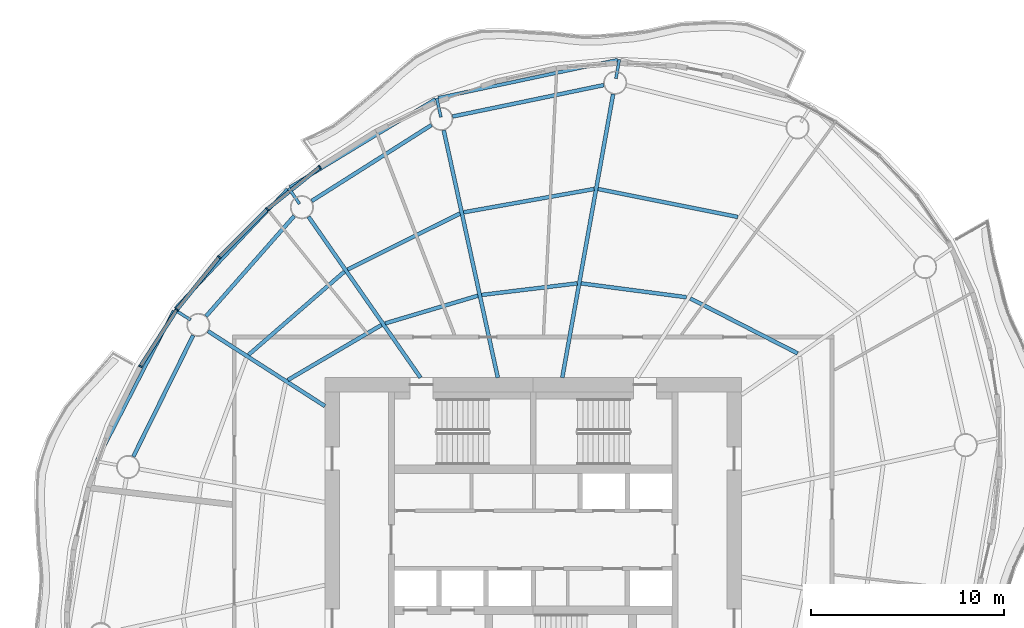
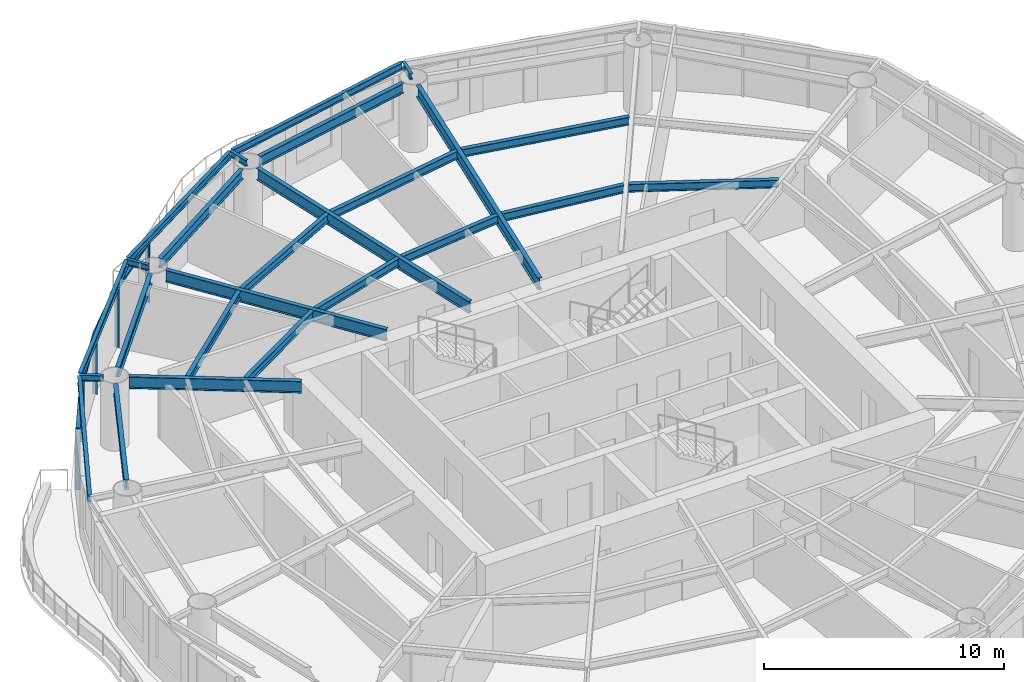
# One storey, part 5 of 14: 25 beams, 9 members, 4 elements without a shape of their own.
"""IFC4 building model written with IfcOpenShell, lengths in metres."""

import ifcopenshell
import ifcopenshell.guid

model = None  # the IFC model being written
_history = None  # IfcOwnerHistory: only IFC2X3 demands one
_inside = {}  # id of a spatial element -> (the spatial element, [elements in it])
_under = {}  # id of a project, library or spatial element -> (it, [spatial elements below it])
_declared = {}  # id of a project -> (the project, [libraries it declares])
_typed = {}  # id of a type object -> (the type object, [elements of that type])
_made_of = {}  # id of a material, layer set ... -> (it, [elements and type objects made of it])


def new_model(schema):
    """Start an empty IFC model of exactly this schema.

    Asked for "IFC4X3", IfcOpenShell would pick the latest addendum, in which some entities
    have other attributes; the version numbers below select the first issue.
    IFC2X3 requires an IfcOwnerHistory on every rooted entity: one is made here for all.
    """
    global model, _history
    if schema == "IFC4X3":
        model = ifcopenshell.file(schema_version=(4, 3, 0, 0))
    else:
        model = ifcopenshell.file(schema=schema)
    _inside.clear()
    _under.clear()
    _declared.clear()
    _typed.clear()
    _made_of.clear()
    _history = None
    if model.schema == "IFC2X3":
        org = make("IfcOrganization", Name="unknown")
        user = make(
            "IfcPersonAndOrganization",
            ThePerson=make("IfcPerson", FamilyName="unknown"),
            TheOrganization=org,
        )
        app = make(
            "IfcApplication",
            ApplicationDeveloper=org,
            Version="unknown",
            ApplicationFullName="unknown",
            ApplicationIdentifier="unknown",
        )
        _history = make(
            "IfcOwnerHistory",
            OwningUser=user,
            OwningApplication=app,
            ChangeAction="ADDED",
            CreationDate=0,
        )
    return model


def make(cls, **values):
    """One entity of the class cls with the attributes given. An attribute that is None is left unset."""
    return model.create_entity(
        cls, **{name: value for name, value in values.items() if value is not None}
    )


def rooted(cls, **values):
    """An entity with a GlobalId (a new one), such as an element, a storey or a relation."""
    return make(cls, GlobalId=ifcopenshell.guid.new(), OwnerHistory=_history, **values)


def si_unit(unit_type, name, prefix=None):
    """IfcSIUnit, for example si_unit("LENGTHUNIT", "METRE", prefix="MILLI")."""
    return make("IfcSIUnit", UnitType=unit_type, Prefix=prefix, Name=name)


def assignment(units):
    """IfcUnitAssignment: the units of a project."""
    return None if units is None else make("IfcUnitAssignment", Units=units)


def point(xyz):
    """IfcCartesianPoint."""
    return None if xyz is None else make("IfcCartesianPoint", Coordinates=xyz)


def direction(xyz):
    """IfcDirection."""
    return None if xyz is None else make("IfcDirection", DirectionRatios=xyz)


def frame(location, z_axis=None, x_axis=None):
    """IfcAxis2Placement3D, a coordinate frame: its origin and axes. An axis left out is left unset."""
    return make(
        "IfcAxis2Placement3D",
        Location=point(location),
        Axis=direction(z_axis),
        RefDirection=direction(x_axis),
    )


def frame_2d(location, x_axis=None):
    """IfcAxis2Placement2D, a coordinate frame in the plane: its origin and x axis."""
    return make(
        "IfcAxis2Placement2D", Location=point(location), RefDirection=direction(x_axis)
    )


def origin():
    """The frame at (0, 0, 0) with its axes left unset."""
    return frame((0.0, 0.0, 0.0))


def origin_2d():
    """The frame at (0, 0) in the plane with its x axis left unset."""
    return frame_2d((0.0, 0.0))


def place(relative_to, where):
    """IfcLocalPlacement: puts the frame where relative to a parent placement (None: the world)."""
    return make(
        "IfcLocalPlacement", PlacementRelTo=relative_to, RelativePlacement=where
    )


def context(
    kind, dimensions, precision=None, world=None, true_north=None, identifier=None
):
    """IfcGeometricRepresentationContext, for example the 3D "Model" context."""
    return make(
        "IfcGeometricRepresentationContext",
        ContextIdentifier=identifier,
        ContextType=kind,
        CoordinateSpaceDimension=dimensions,
        Precision=precision,
        WorldCoordinateSystem=world,
        TrueNorth=true_north,
    )


def subcontext(parent, identifier, kind, view, scale=None):
    """IfcGeometricRepresentationSubContext, for example "Body" below "Model"."""
    return make(
        "IfcGeometricRepresentationSubContext",
        ContextIdentifier=identifier,
        ContextType=kind,
        ParentContext=parent,
        TargetScale=scale,
        TargetView=view,
    )


def project(units=None, contexts=None):
    """IfcProject with its units and contexts."""
    return rooted(
        "IfcProject",
        Name="project",
        RepresentationContexts=contexts,
        UnitsInContext=assignment(units),
    )


def spatial(cls, under=None, at=None, **own):
    """A site, building, storey or space (cls), placed at a placement, below another one or the project."""
    s = rooted(cls, ObjectPlacement=at, **own)
    if under is not None:
        _under.setdefault(under.id(), (under, []))[1].append(s)
    return s


def profile(cls, at=None, kind="AREA", **sizes):
    """A parametric profile (cls). Its sizes go by their IFC names, for example OverallWidth=200.0."""
    return make(cls, ProfileType=kind, Position=at, **sizes)


def rectangle(**sizes):
    """IfcRectangleProfileDef."""
    return profile("IfcRectangleProfileDef", **sizes)


def i_section(**sizes):
    """IfcIShapeProfileDef."""
    return profile("IfcIShapeProfileDef", **sizes)


def extrude(swept, where, along, depth):
    """IfcExtrudedAreaSolid: the profile swept, set in the frame where, extruded along a direction by depth."""
    return make(
        "IfcExtrudedAreaSolid",
        SweptArea=swept,
        Position=where,
        ExtrudedDirection=direction(along),
        Depth=depth,
    )


def shape(context_of_items, identifier, shape_type, items):
    """IfcShapeRepresentation: the items that make up one representation, for example the "Body"."""
    return make(
        "IfcShapeRepresentation",
        ContextOfItems=context_of_items,
        RepresentationIdentifier=identifier,
        RepresentationType=shape_type,
        Items=items,
    )


def material(Name=None, Category=None):
    """IfcMaterial."""
    return make("IfcMaterial", Name=Name, Category=Category)


def material_profile(
    of_material, cross_section, Name=None, Category=None, Priority=None
):
    """IfcMaterialProfile: a cross section and its material."""
    return make(
        "IfcMaterialProfile",
        Name=Name,
        Material=of_material,
        Profile=cross_section,
        Priority=Priority,
        Category=Category,
    )


def profile_set(profiles, Name=None, composite=None):
    """IfcMaterialProfileSet."""
    return make(
        "IfcMaterialProfileSet",
        Name=Name,
        MaterialProfiles=profiles,
        CompositeProfile=composite,
    )


def made_of(thing, what):
    """Note that an element or type object is made of a material, layer set ...; save() writes the relation."""
    if what is not None:
        _made_of.setdefault(what.id(), (what, []))[1].append(thing)
    return thing


def type_object(cls, material=None, **own):
    """A type object (cls), such as IfcWallType, which elements share."""
    return made_of(rooted(cls, **own), material)


def element(
    cls,
    number,
    at=None,
    inside=None,
    cuts=None,
    type_object=None,
    material=None,
    context=None,
    identifier="Body",
    shape_type=None,
    held_by="IfcProductDefinitionShape",
    body=None,
    shapes=None,
    **own,
):
    """One element of the class cls, such as IfcWall. Its Tag is "e" and its number.

    at: its placement. inside: the storey or other place that contains it. cuts: it is an
    opening in that element (IfcRelVoidsElement). A single representation is given by context,
    identifier, shape_type and body (its items); several are given by shapes. held_by: the class
    of the entity that holds the representations. save() writes the other relations.
    """
    e = rooted(cls, Tag="e%d" % number, ObjectPlacement=at, **own)
    if body is not None:
        shapes = [shape(context, identifier, shape_type, body)]
    if shapes is not None:
        e.Representation = make(held_by, Representations=shapes)
    if inside is not None:
        _inside.setdefault(inside.id(), (inside, []))[1].append(e)
    if cuts is not None:
        rooted(
            "IfcRelVoidsElement", RelatingBuildingElement=cuts, RelatedOpeningElement=e
        )
    if type_object is not None:
        _typed.setdefault(type_object.id(), (type_object, []))[1].append(e)
    return made_of(e, material)


def aggregate(whole, parts):
    """IfcRelAggregates: a whole, such as a stair, and the parts it consists of."""
    return rooted("IfcRelAggregates", RelatingObject=whole, RelatedObjects=parts)


def save(model, path):
    """Write the relations noted so far, then the file.

    IfcRelAggregates (storeys below a building ...), IfcRelContainedInSpatialStructure (elements
    in a storey), IfcRelDefinesByType, IfcRelAssociatesMaterial and IfcRelDeclares: one each for
    every whole, place, type object, material and project.
    """
    for whole, parts in _under.values():
        aggregate(whole, parts)
    for where, things in _inside.values():
        rooted(
            "IfcRelContainedInSpatialStructure",
            RelatedElements=things,
            RelatingStructure=where,
        )
    for kind, things in _typed.values():
        rooted("IfcRelDefinesByType", RelatedObjects=things, RelatingType=kind)
    for what, things in _made_of.values():
        rooted("IfcRelAssociatesMaterial", RelatedObjects=things, RelatingMaterial=what)
    for by, libraries in _declared.values():
        rooted("IfcRelDeclares", RelatingContext=by, RelatedDefinitions=libraries)
    model.write(path)


model = new_model("IFC4")

# Units and contexts
model_context = context("Model", 3, precision=1e-05, world=origin(), true_north=direction((0.0, 1.0)))
body_context = subcontext(model_context, "Body", "Model", "MODEL_VIEW")
ifc_project = project(units=[si_unit("LENGTHUNIT", "METRE"), si_unit("AREAUNIT", "SQUARE_METRE"), si_unit("VOLUMEUNIT", "CUBIC_METRE"), si_unit("PLANEANGLEUNIT", "RADIAN"), si_unit("MASSUNIT", "GRAM", prefix="KILO")], contexts=[model_context])

# Site, building, storey
site_placement = place(None, origin())
site = spatial("IfcSite", under=ifc_project, at=site_placement, CompositionType="ELEMENT")
building_placement = place(site_placement, origin())
building = spatial("IfcBuilding", under=site, at=building_placement, Name="Vermilion Reach Broadcast Tower", CompositionType="ELEMENT")
storey_placement = place(building_placement, frame((0.0, 0.0, 224.5)))
storey = spatial("IfcBuildingStorey", under=building, at=storey_placement, Name="L55", CompositionType="ELEMENT", Elevation=224.5)

# Beams
ifc_material_1 = material(Name="Steel S355J2", Category="steel")
ifc_material_profile_1 = material_profile(ifc_material_1, i_section(OverallWidth=0.175048828125, OverallDepth=0.35009765625, WebThickness=0.007080078125, FlangeThickness=0.010986328125, at=origin_2d()), Name="S355J2 HN 350x175x7x11")
ifc_profile_set_1 = profile_set([ifc_material_profile_1], Name="Steel S355J2")
beam_type_1 = type_object("IfcBeamType", Name="EB4 HN 350x175x7x11", PredefinedType="BEAM", material=ifc_profile_set_1)
beam_1_placement = place(storey_placement, frame((-1.613525390625, 24.877197265625, 3.27490234375), z_axis=(-0.97821172631, -0.207609774601, 0.0), x_axis=(0.207609774601, -0.97821172631, 0.0)))
element("IfcBeam", 1, at=beam_1_placement, inside=storey, type_object=beam_type_1, Name="Edge beam EB4-02", PredefinedType="BEAM", context=body_context, shape_type="SweptSolid", body=[
    extrude(i_section(OverallWidth=0.175048828125, OverallDepth=0.35009765625, WebThickness=0.007080078125, FlangeThickness=0.010986328125, at=origin_2d()), origin(), (0.0, 0.0, 1.0), 9.52294921875),
])
beam_2_placement = place(storey_placement, frame((-11.070068359375, 22.843505859375, 3.27490234375), z_axis=(-0.855212690142, -0.518277198631, 0.0), x_axis=(0.518277198631, -0.855212690142, 0.0)))
element("IfcBeam", 2, at=beam_2_placement, inside=storey, type_object=beam_type_1, Name="Edge beam EB4-03", PredefinedType="BEAM", context=body_context, shape_type="SweptSolid", body=[
    extrude(i_section(OverallWidth=0.175048828125, OverallDepth=0.35009765625, WebThickness=0.007080078125, FlangeThickness=0.010986328125, at=origin_2d()), origin(), (0.0, 0.0, 1.0), 8.82763671875),
])
beam_3_placement = place(storey_placement, frame((-18.736328125, 18.17333984375, 3.27490234375), z_axis=(-0.684636119889, -0.72888502752, 0.0), x_axis=(0.72888502752, -0.684636119889, 0.0)))
element("IfcBeam", 3, at=beam_3_placement, inside=storey, type_object=beam_type_1, Name="Edge beam EB4-04", PredefinedType="BEAM", context=body_context, shape_type="SweptSolid", body=[
    extrude(i_section(OverallWidth=0.175048828125, OverallDepth=0.35009765625, WebThickness=0.007080078125, FlangeThickness=0.010986328125, at=origin_2d()), origin(), (0.0, 0.0, 1.0), 8.491455078125),
])
beam_4_placement = place(storey_placement, frame((-24.636474609375, 11.861572265625, 3.27490234375), z_axis=(-0.45736451485, -0.889279315264, 0.0), x_axis=(0.889279315264, -0.45736451485, 0.0)))
element("IfcBeam", 4, at=beam_4_placement, inside=storey, type_object=beam_type_1, Name="Edge beam EB4-05", PredefinedType="BEAM", context=body_context, shape_type="SweptSolid", body=[
    extrude(i_section(OverallWidth=0.175048828125, OverallDepth=0.35009765625, WebThickness=0.007080078125, FlangeThickness=0.010986328125, at=origin_2d()), origin(), (0.0, 0.0, 1.0), 8.69140625),
])
ifc_material_2 = material(Name="Steel S355J2", Category="steel")
ifc_material_profile_2 = material_profile(ifc_material_2, i_section(OverallWidth=0.199951171875, OverallDepth=0.60009765625, WebThickness=0.010986328125, FlangeThickness=0.01708984375, at=origin_2d()), Name="S355J2 HN 600x200x11x17")
ifc_profile_set_2 = profile_set([ifc_material_profile_2], Name="Steel S355J2")
beam_type_2 = type_object("IfcBeamType", Name="G4 HN 600x200x11x17", PredefinedType="BEAM", material=ifc_profile_set_2)
beam_5_placement = place(storey_placement, frame((-4.4931640625, 8.39990234375, 3.14990234375), z_axis=(0.176574729047, 0.984287237072, 0.0), x_axis=(-0.984287237072, 0.176574729047, 0.0)))
element("IfcBeam", 5, at=beam_5_placement, inside=storey, type_object=beam_type_2, Name="Girder G4-02", PredefinedType="BEAM", context=body_context, shape_type="SweptSolid", body=[
    extrude(i_section(OverallWidth=0.199951171875, OverallDepth=0.60009765625, WebThickness=0.010986328125, FlangeThickness=0.01708984375, at=origin_2d()), origin(), (0.0, 0.0, 1.0), 14.935302734375),
])
beam_6_placement = place(storey_placement, frame((-7.836181640625, 8.39990234375, 3.14990234375), z_axis=(-0.213538346548, 0.976934682849, 0.0), x_axis=(-0.976934682849, -0.213538346548, 0.0)))
element("IfcBeam", 6, at=beam_6_placement, inside=storey, type_object=beam_type_2, Name="Girder G4-03", PredefinedType="BEAM", context=body_context, shape_type="SweptSolid", body=[
    extrude(i_section(OverallWidth=0.199951171875, OverallDepth=0.60009765625, WebThickness=0.010986328125, FlangeThickness=0.01708984375, at=origin_2d()), origin(), (0.0, 0.0, 1.0), 13.135498046875),
])
beam_7_placement = place(storey_placement, frame((-11.8447265625, 8.39990234375, 3.14990234375), z_axis=(-0.571134149017, 0.8208567377, 0.0), x_axis=(-0.8208567377, -0.571134149017, 0.0)))
element("IfcBeam", 7, at=beam_7_placement, inside=storey, type_object=beam_type_2, Name="Girder G4-04", PredefinedType="BEAM", context=body_context, shape_type="SweptSolid", body=[
    extrude(i_section(OverallWidth=0.199951171875, OverallDepth=0.60009765625, WebThickness=0.010986328125, FlangeThickness=0.01708984375, at=origin_2d()), origin(), (0.0, 0.0, 1.0), 10.16552734375),
])
beam_8_placement = place(storey_placement, frame((-16.800048828125, 6.925537109375, 3.14990234375), z_axis=(-0.841798504642, 0.539791883584, 0.0), x_axis=(-0.539791883584, -0.841798504642, 0.0)))
element("IfcBeam", 8, at=beam_8_placement, inside=storey, type_object=beam_type_2, Name="Girder G4-05", PredefinedType="BEAM", context=body_context, shape_type="SweptSolid", body=[
    extrude(i_section(OverallWidth=0.199951171875, OverallDepth=0.60009765625, WebThickness=0.010986328125, FlangeThickness=0.01708984375, at=origin_2d()), origin(), (0.0, 0.0, 1.0), 7.1962890625),
])
ifc_material_3 = material(Name="Steel S355J2", Category="steel")
ifc_material_profile_3 = material_profile(ifc_material_3, i_section(OverallWidth=0.14990234375, OverallDepth=0.300048828125, WebThickness=0.006591796875, FlangeThickness=0.009033203125, at=origin_2d()), Name="S355J2 HN 300x150x6.5x9")
ifc_profile_set_3 = profile_set([ifc_material_profile_3], Name="Steel S355J2")
beam_type_3 = type_object("IfcBeamType", Name="GS4 HN 300x150x6.5x9", PredefinedType="BEAM", material=ifc_profile_set_3)
beam_9_placement = place(storey_placement, frame((-1.7109375, 23.90966796875, 3.300048828125), z_axis=(0.176500327456, 0.984300581331, 0.0), x_axis=(-0.984300581331, 0.176500327456, 0.0)))
element("IfcBeam", 9, at=beam_9_placement, inside=storey, type_object=beam_type_3, Name="Cantilever stub GS4-02", PredefinedType="BEAM", context=body_context, shape_type="SweptSolid", body=[
    extrude(i_section(OverallWidth=0.14990234375, OverallDepth=0.300048828125, WebThickness=0.006591796875, FlangeThickness=0.009033203125, at=origin_2d()), origin(), (0.0, 0.0, 1.0), 1.0),
])
beam_10_placement = place(storey_placement, frame((-10.78857421875, 21.90771484375, 3.300048828125), z_axis=(-0.213594957215, 0.976922307173, 0.0), x_axis=(-0.976922307173, -0.213594957215, 0.0)))
element("IfcBeam", 10, at=beam_10_placement, inside=storey, type_object=beam_type_3, Name="Cantilever stub GS4-03", PredefinedType="BEAM", context=body_context, shape_type="SweptSolid", body=[
    extrude(i_section(OverallWidth=0.14990234375, OverallDepth=0.300048828125, WebThickness=0.006591796875, FlangeThickness=0.009033203125, at=origin_2d()), origin(), (0.0, 0.0, 1.0), 1.000244140625),
])
for number, where, z_axis, x_axis, name in (
    (11, (-18.11279296875, 17.408447265625, 3.300048828125), (-0.571100256946, 0.820880318022, 0.0), (-0.820880318022, -0.571100256946, 0.0), "Cantilever stub GS4-04"),
    (12, (-23.76025390625, 11.388671875, 3.300048828125), (-0.841796649213, 0.539794777091, 0.0), (-0.539794777091, -0.841796649213, 0.0), "Cantilever stub GS4-05"),
):
    element("IfcBeam", number, at=place(storey_placement, frame(where, z_axis=z_axis, x_axis=x_axis)), inside=storey, type_object=beam_type_3, Name=name, PredefinedType="BEAM", context=body_context, shape_type="SweptSolid", body=[
        extrude(i_section(OverallWidth=0.14990234375, OverallDepth=0.300048828125, WebThickness=0.006591796875, FlangeThickness=0.009033203125, at=origin_2d()), origin(), (0.0, 0.0, 1.0), 1.0),
    ])
ifc_material_4 = material(Name="Steel S355J2", Category="steel")
ifc_material_profile_4 = material_profile(ifc_material_4, i_section(OverallWidth=0.199951171875, OverallDepth=0.5, WebThickness=0.010009765625, FlangeThickness=0.01611328125, at=origin_2d()), Name="S355J2 HN 500x200x10x16")
ifc_profile_set_4 = profile_set([ifc_material_profile_4], Name="Steel S355J2")
beam_type_4 = type_object("IfcBeamType", Name="RB4 HN 500x200x10x16", PredefinedType="BEAM", material=ifc_profile_set_4)
beam_11_placement = place(storey_placement, frame((-2.337646484375, 23.569091796875, 3.199951171875), z_axis=(-0.97912342484, -0.203266620302, 0.0), x_axis=(0.203266620302, -0.97912342484, 0.0)))
element("IfcBeam", 13, at=beam_11_placement, inside=storey, type_object=beam_type_4, Name="Ring beam RB4-02", PredefinedType="BEAM", context=body_context, shape_type="SweptSolid", body=[
    extrude(i_section(OverallWidth=0.199951171875, OverallDepth=0.5, WebThickness=0.010009765625, FlangeThickness=0.01611328125, at=origin_2d()), origin(), (0.0, 0.0, 1.0), 8.01123046875),
])
beam_12_placement = place(storey_placement, frame((-11.27587890625, 21.497314453125, 3.199951171875), z_axis=(-0.84446426774, -0.535611893549, 0.0), x_axis=(0.535611893549, -0.84446426774, 0.0)))
element("IfcBeam", 14, at=beam_12_placement, inside=storey, type_object=beam_type_4, Name="Ring beam RB4-03", PredefinedType="BEAM", context=body_context, shape_type="SweptSolid", body=[
    extrude(i_section(OverallWidth=0.199951171875, OverallDepth=0.5, WebThickness=0.010009765625, FlangeThickness=0.01611328125, at=origin_2d()), origin(), (0.0, 0.0, 1.0), 7.3544921875),
])
beam_13_placement = place(storey_placement, frame((-18.3896484375, 16.786376953125, 3.199951171875), z_axis=(-0.660565141761, -0.750768735024, 0.0), x_axis=(0.750768735024, -0.660565141761, 0.0)))
element("IfcBeam", 15, at=beam_13_placement, inside=storey, type_object=beam_type_4, Name="Ring beam RB4-04", PredefinedType="BEAM", context=body_context, shape_type="SweptSolid", body=[
    extrude(i_section(OverallWidth=0.199951171875, OverallDepth=0.5, WebThickness=0.010009765625, FlangeThickness=0.01611328125, at=origin_2d()), origin(), (0.0, 0.0, 1.0), 6.9287109375),
])
beam_14_placement = place(storey_placement, frame((-23.628662109375, 10.595947265625, 3.199951171875), z_axis=(-0.442977497199, -0.896532730566, 0.0), x_axis=(0.896532730566, -0.442977497199, 0.0)))
element("IfcBeam", 16, at=beam_14_placement, inside=storey, type_object=beam_type_4, Name="Ring beam RB4-05", PredefinedType="BEAM", context=body_context, shape_type="SweptSolid", body=[
    extrude(i_section(OverallWidth=0.199951171875, OverallDepth=0.5, WebThickness=0.010009765625, FlangeThickness=0.01611328125, at=origin_2d()), origin(), (0.0, 0.0, 1.0), 7.0166015625),
])
ifc_material_5 = material(Name="Steel S355J2", Category="steel")
ifc_material_profile_5 = material_profile(ifc_material_5, i_section(OverallWidth=0.199951171875, OverallDepth=0.39990234375, WebThickness=0.008056640625, FlangeThickness=0.012939453125, at=origin_2d()), Name="S355J2 HN 400x200x8x13")
ifc_profile_set_5 = profile_set([ifc_material_profile_5], Name="Steel S355J2")
beam_type_5 = type_object("IfcBeamType", Name="SB4 HN 400x200x8x13", PredefinedType="BEAM", material=ifc_profile_set_5)
beam_15_placement = place(storey_placement, frame((1.94140625, 12.5693359375, 3.25), z_axis=(-0.991458070019, 0.130425823341, 0.0), x_axis=(-0.130425823341, -0.991458070019, 0.0)))
element("IfcBeam", 17, at=beam_15_placement, inside=storey, type_object=beam_type_5, Name="Secondary beam SB4-01-1", PredefinedType="BEAM", context=body_context, shape_type="SweptSolid", body=[
    extrude(i_section(OverallWidth=0.199951171875, OverallDepth=0.39990234375, WebThickness=0.008056640625, FlangeThickness=0.012939453125, at=origin_2d()), origin(), (0.0, 0.0, 1.0), 5.50341796875),
])
beam_16_placement = place(storey_placement, frame((4.60986328125, 16.73095703125, 3.25), z_axis=(-0.9805717807, 0.196160604851, 0.0), x_axis=(-0.196160604851, -0.9805717807, 0.0)))
element("IfcBeam", 18, at=beam_16_placement, inside=storey, type_object=beam_type_5, Name="Secondary beam SB4-01-2", PredefinedType="BEAM", context=body_context, shape_type="SweptSolid", body=[
    extrude(i_section(OverallWidth=0.199951171875, OverallDepth=0.39990234375, WebThickness=0.008056640625, FlangeThickness=0.012939453125, at=origin_2d()), origin(), (0.0, 0.0, 1.0), 7.390380859375),
])
beam_17_placement = place(storey_placement, frame((-3.718017578125, 13.28759765625, 3.25), z_axis=(-0.99278788328, -0.119884189168, 0.0), x_axis=(0.119884189168, -0.99278788328, 0.0)))
element("IfcBeam", 19, at=beam_17_placement, inside=storey, type_object=beam_type_5, Name="Secondary beam SB4-02-1", PredefinedType="BEAM", context=body_context, shape_type="SweptSolid", body=[
    extrude(i_section(OverallWidth=0.199951171875, OverallDepth=0.39990234375, WebThickness=0.008056640625, FlangeThickness=0.012939453125, at=origin_2d()), origin(), (0.0, 0.0, 1.0), 4.9892578125),
])
beam_18_placement = place(storey_placement, frame((-2.840087890625, 18.181640625, 3.25), z_axis=(-0.984415281892, -0.175859468829, 0.0), x_axis=(0.175859468829, -0.984415281892, 0.0)))
element("IfcBeam", 20, at=beam_18_placement, inside=storey, type_object=beam_type_5, Name="Secondary beam SB4-02-2", PredefinedType="BEAM", context=body_context, shape_type="SweptSolid", body=[
    extrude(i_section(OverallWidth=0.199951171875, OverallDepth=0.39990234375, WebThickness=0.008056640625, FlangeThickness=0.012939453125, at=origin_2d()), origin(), (0.0, 0.0, 1.0), 6.874755859375),
])
beam_19_placement = place(storey_placement, frame((-8.8671875, 12.64892578125, 3.25), z_axis=(-0.958173460215, -0.28618808525, 0.0), x_axis=(0.28618808525, -0.958173460215, 0.0)))
element("IfcBeam", 21, at=beam_19_placement, inside=storey, type_object=beam_type_5, Name="Secondary beam SB4-03-1", PredefinedType="BEAM", context=body_context, shape_type="SweptSolid", body=[
    extrude(i_section(OverallWidth=0.199951171875, OverallDepth=0.39990234375, WebThickness=0.008056640625, FlangeThickness=0.012939453125, at=origin_2d()), origin(), (0.0, 0.0, 1.0), 5.02197265625),
])
beam_20_placement = place(storey_placement, frame((-9.79833984375, 16.908935546875, 3.25), z_axis=(-0.895183615542, -0.445697536974, 0.0), x_axis=(0.445697536974, -0.895183615542, 0.0)))
element("IfcBeam", 22, at=beam_20_placement, inside=storey, type_object=beam_type_5, Name="Secondary beam SB4-03-2", PredefinedType="BEAM", context=body_context, shape_type="SweptSolid", body=[
    extrude(i_section(OverallWidth=0.199951171875, OverallDepth=0.39990234375, WebThickness=0.008056640625, FlangeThickness=0.012939453125, at=origin_2d()), origin(), (0.0, 0.0, 1.0), 6.508544921875),
])
beam_21_placement = place(storey_placement, frame((-13.866455078125, 11.130615234375, 3.25), z_axis=(-0.862172572268, -0.506614701356, 0.0), x_axis=(0.506614701356, -0.862172572268, 0.0)))
element("IfcBeam", 23, at=beam_21_placement, inside=storey, type_object=beam_type_5, Name="Secondary beam SB4-04-1", PredefinedType="BEAM", context=body_context, shape_type="SweptSolid", body=[
    extrude(i_section(OverallWidth=0.199951171875, OverallDepth=0.39990234375, WebThickness=0.008056640625, FlangeThickness=0.012939453125, at=origin_2d()), origin(), (0.0, 0.0, 1.0), 5.632568359375),
])
beam_22_placement = place(storey_placement, frame((-15.791259765625, 13.89697265625, 3.25), z_axis=(-0.755129308567, -0.655575874589, 0.0), x_axis=(0.655575874589, -0.755129308567, 0.0)))
element("IfcBeam", 24, at=beam_22_placement, inside=storey, type_object=beam_type_5, Name="Secondary beam SB4-04-2", PredefinedType="BEAM", context=body_context, shape_type="SweptSolid", body=[
    extrude(i_section(OverallWidth=0.199951171875, OverallDepth=0.39990234375, WebThickness=0.008056640625, FlangeThickness=0.012939453125, at=origin_2d()), origin(), (0.0, 0.0, 1.0), 6.57958984375),
])
beam_23_placement = place(storey_placement, frame((7.707763671875, 9.659423828125, 3.25), z_axis=(-0.89015575218, 0.455656380249, 0.0), x_axis=(-0.455656380249, -0.89015575218, 0.0)))
element("IfcBeam", 25, at=beam_23_placement, inside=storey, type_object=beam_type_5, Name="Secondary beam SB4-16-1", PredefinedType="BEAM", context=body_context, shape_type="SweptSolid", body=[
    extrude(i_section(OverallWidth=0.199951171875, OverallDepth=0.39990234375, WebThickness=0.008056640625, FlangeThickness=0.012939453125, at=origin_2d()), origin(), (0.0, 0.0, 1.0), 6.25439453125),
])

# Curtain wall, member
ifc_material_6 = material(Name="Low-e laminated clear glass in aluminium frame", Category="aluminium")
curtain_wall_type = type_object("IfcCurtainWallType", Name="Slot curtain wall", PredefinedType="NOTDEFINED", material=ifc_material_6)
placement = place(storey_placement, origin())
curtain_wall_1 = element("IfcCurtainWall", 26, at=placement, inside=storey, type_object=curtain_wall_type, Name="Slot curtain wall L55 10", PredefinedType="NOTDEFINED")
ifc_material_7 = material(Name="Anodised aluminium", Category="aluminium")
ifc_material_profile_6 = material_profile(ifc_material_7, rectangle(XDim=0.199951171875, YDim=0.080078125, at=origin_2d()), Name="Slot mullion 80 x 200")
ifc_profile_set_6 = profile_set([ifc_material_profile_6], Name="Anodised aluminium")
member_type_1 = type_object("IfcMemberType", Name="Slot mullion 80 x 200", PredefinedType="MULLION", material=ifc_profile_set_6)
member_1_placement = place(storey_placement, frame((-17.068603515625, 19.314453125, 0.0), z_axis=(0.0, 0.0, 1.0), x_axis=(0.582108977861, -0.813110778365, 0.0)))
member_1 = element("IfcMember", 27, at=member_1_placement, type_object=member_type_1, Name="Slot mullion L55 10", PredefinedType="MULLION", context=body_context, shape_type="SweptSolid", body=[
    extrude(rectangle(XDim=0.199951171875, YDim=0.080078125, at=origin_2d()), origin(), (0.0, 0.0, 1.0), 3.10009765625),
])

curtain_wall_2 = element("IfcCurtainWall", 28, at=placement, inside=storey, type_object=curtain_wall_type, Name="Slot curtain wall L55 11", PredefinedType="NOTDEFINED")
member_2_placement = place(storey_placement, frame((-19.789794921875, 17.131103515625, 0.0), z_axis=(0.0, 0.0, 1.0), x_axis=(0.666975615424, -0.745079545035, 0.0)))
member_2 = element("IfcMember", 29, at=member_2_placement, type_object=member_type_1, Name="Slot mullion L55 11", PredefinedType="MULLION", context=body_context, shape_type="SweptSolid", body=[
    extrude(rectangle(XDim=0.199951171875, YDim=0.080078125, at=origin_2d()), origin(), (0.0, 0.0, 1.0), 3.10009765625),
])

curtain_wall_3 = element("IfcCurtainWall", 30, at=placement, inside=storey, type_object=curtain_wall_type, Name="Slot curtain wall L55 12", PredefinedType="NOTDEFINED")
member_3_placement = place(storey_placement, frame((-22.274169921875, 14.6533203125, 0.0), z_axis=(0.0, 0.0, 1.0), x_axis=(0.743144825244, -0.669130606618, 0.0)))
member_3 = element("IfcMember", 31, at=member_3_placement, type_object=member_type_1, Name="Slot mullion L55 12", PredefinedType="MULLION", context=body_context, shape_type="SweptSolid", body=[
    extrude(rectangle(XDim=0.199951171875, YDim=0.080078125, at=origin_2d()), origin(), (0.0, 0.0, 1.0), 3.10009765625),
])

# Curtain wall, members
curtain_wall_4 = element("IfcCurtainWall", 32, at=placement, inside=storey, type_object=curtain_wall_type, Name="Slot curtain wall L55 13", PredefinedType="NOTDEFINED")
member_4_placement = place(storey_placement, frame((-24.478759765625, 11.923583984375, 0.0), z_axis=(0.0, 0.0, 1.0), x_axis=(0.810715835518, -0.585439863727, 0.0)))
member_4 = element("IfcMember", 33, at=member_4_placement, type_object=member_type_1, Name="Slot mullion L55 13", PredefinedType="MULLION", context=body_context, shape_type="SweptSolid", body=[
    extrude(rectangle(XDim=0.199951171875, YDim=0.080078125, at=origin_2d()), origin(), (0.0, 0.0, 1.0), 3.10009765625),
])
member_5_placement = place(storey_placement, frame((-26.36572265625, 8.989013671875, 0.0), z_axis=(0.0, 0.0, 1.0), x_axis=(0.869503463095, -0.493926844447, 0.0)))
member_5 = element("IfcMember", 34, at=member_5_placement, type_object=member_type_1, Name="Slot mullion L55 14", PredefinedType="MULLION", context=body_context, shape_type="SweptSolid", body=[
    extrude(rectangle(XDim=0.199951171875, YDim=0.080078125, at=origin_2d()), origin(), (0.0, 0.0, 1.0), 3.10009765625),
])

# Member
ifc_material_8 = material(Name="Anodised aluminium", Category="aluminium")
ifc_material_profile_7 = material_profile(ifc_material_8, rectangle(XDim=0.199951171875, YDim=0.10009765625, at=origin_2d()), Name="Slot transom 200 x 100")
ifc_profile_set_7 = profile_set([ifc_material_profile_7], Name="Anodised aluminium")
member_type_2 = type_object("IfcMemberType", Name="Slot transom 200 x 100", PredefinedType="USERDEFINED", material=ifc_profile_set_7)
member_6_placement = place(storey_placement, frame((-17.099853515625, 19.28955078125, 3.050048828125), z_axis=(-0.779959611936, -0.625829852075, 0.0), x_axis=(0.625829852075, -0.779959611936, 0.0)))
member_6 = element("IfcMember", 35, at=member_6_placement, type_object=member_type_2, Name="Slot transom L55 10.1", ObjectType="TRANSOM", PredefinedType="USERDEFINED", context=body_context, shape_type="SweptSolid", body=[
    extrude(rectangle(XDim=0.199951171875, YDim=0.10009765625, at=origin_2d()), origin(), (0.0, 0.0, 1.0), 3.40869140625),
])

aggregate(curtain_wall_1, [member_1, member_6])

member_7_placement = place(storey_placement, frame((-19.818115234375, 17.10302734375, 3.050048828125), z_axis=(-0.70803180019, -0.706180550511, 0.0), x_axis=(0.706180550511, -0.70803180019, 0.0)))
member_7 = element("IfcMember", 36, at=member_7_placement, type_object=member_type_2, Name="Slot transom L55 11.1", ObjectType="TRANSOM", PredefinedType="USERDEFINED", context=body_context, shape_type="SweptSolid", body=[
    extrude(rectangle(XDim=0.199951171875, YDim=0.10009765625, at=origin_2d()), origin(), (0.0, 0.0, 1.0), 3.428955078125),
])

aggregate(curtain_wall_2, [member_2, member_7])

member_8_placement = place(storey_placement, frame((-22.29931640625, 14.6220703125, 3.050048828125), z_axis=(-0.62830064403, -0.777970629723, 0.0), x_axis=(0.777970629723, -0.62830064403, 0.0)))
member_8 = element("IfcMember", 37, at=member_8_placement, type_object=member_type_2, Name="Slot transom L55 12.1", ObjectType="TRANSOM", PredefinedType="USERDEFINED", context=body_context, shape_type="SweptSolid", body=[
    extrude(rectangle(XDim=0.199951171875, YDim=0.10009765625, at=origin_2d()), origin(), (0.0, 0.0, 1.0), 3.4287109375),
])

aggregate(curtain_wall_3, [member_3, member_8])

member_9_placement = place(storey_placement, frame((-24.50048828125, 11.889892578125, 3.050048828125), z_axis=(-0.540822748217, -0.841136585229, 0.0), x_axis=(0.841136585229, -0.540822748217, 0.0)))
member_9 = element("IfcMember", 38, at=member_9_placement, type_object=member_type_2, Name="Slot transom L55 13.1", ObjectType="TRANSOM", PredefinedType="USERDEFINED", context=body_context, shape_type="SweptSolid", body=[
    extrude(rectangle(XDim=0.199951171875, YDim=0.10009765625, at=origin_2d()), origin(), (0.0, 0.0, 1.0), 3.40869140625),
])

aggregate(curtain_wall_4, [member_4, member_5, member_9])

save(model, "model.ifc")
